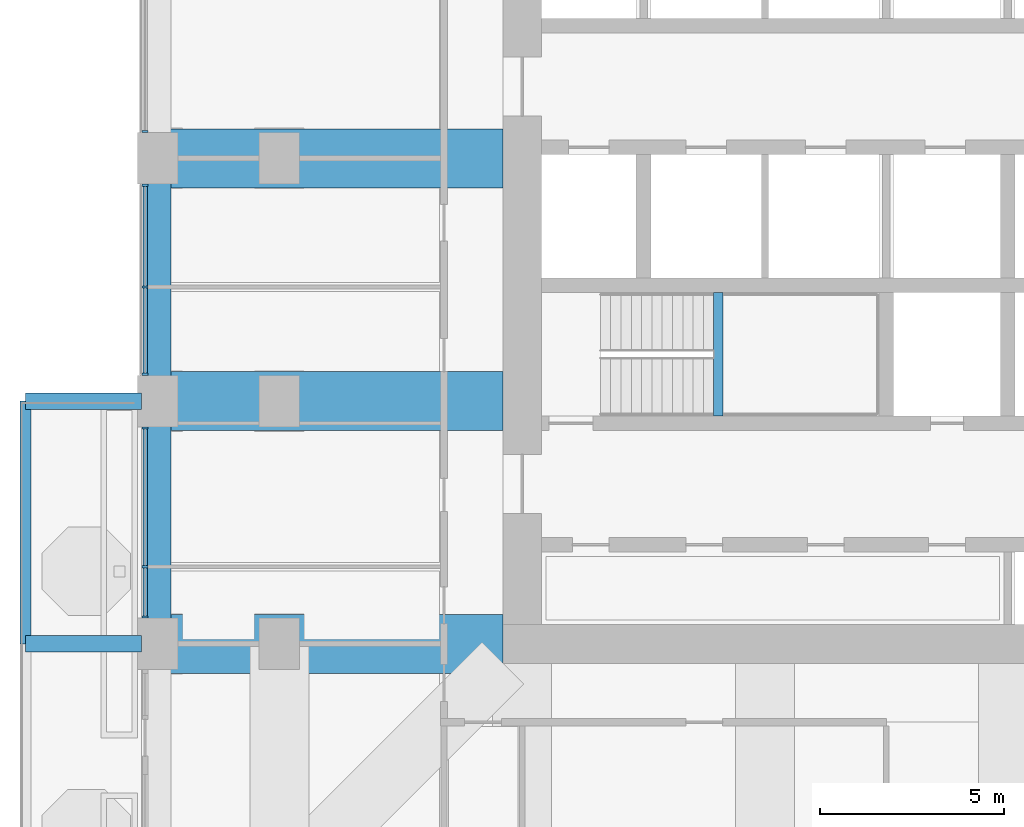
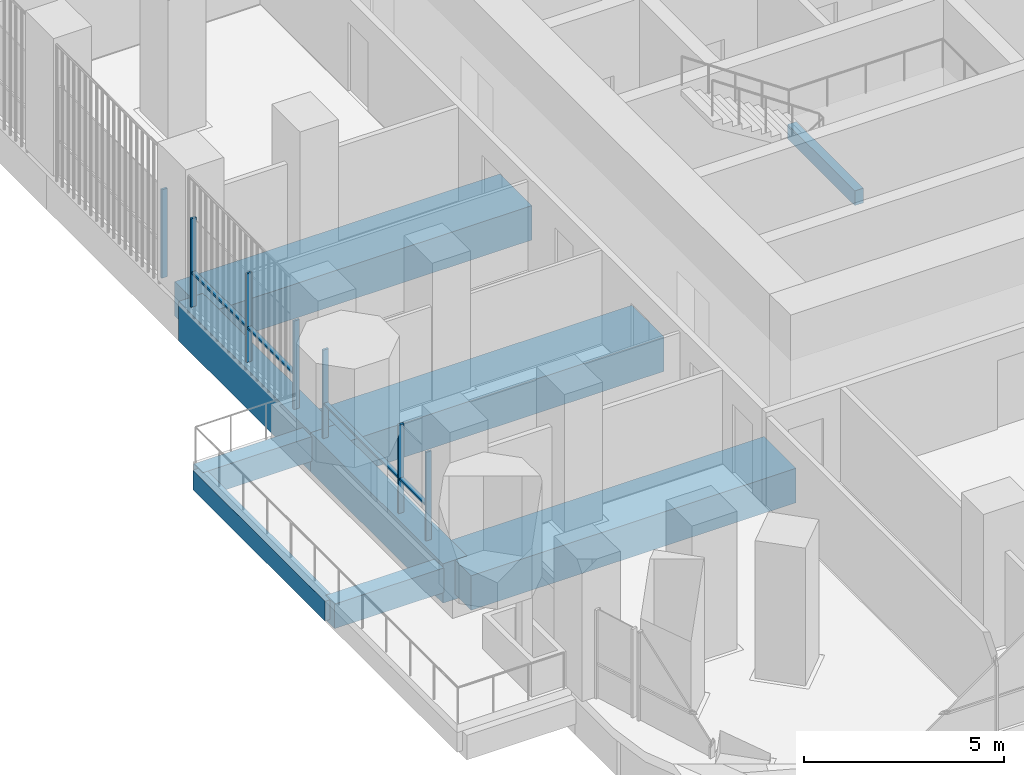
# One storey, part 4 of 21: 11 members, 9 beams, 3 elements without a shape of their own.
"""IFC4 building model written with IfcOpenShell, lengths in metres."""

from ifc_helpers import new_model, si_unit, direction, frame, origin, origin_2d, place, context, subcontext, project, spatial, rectangle, extrude, material, material_profile, profile_set, type_object, element, aggregate, save


model = new_model("IFC4")

# Units and contexts
model_context = context("Model", 3, precision=1e-05, world=origin(), true_north=direction((0.0, 1.0)))
body_context = subcontext(model_context, "Body", "Model", "MODEL_VIEW")
ifc_project = project(units=[si_unit("LENGTHUNIT", "METRE"), si_unit("AREAUNIT", "SQUARE_METRE"), si_unit("VOLUMEUNIT", "CUBIC_METRE"), si_unit("PLANEANGLEUNIT", "RADIAN"), si_unit("MASSUNIT", "GRAM", prefix="KILO")], contexts=[model_context])

# Site, building, storey
site_placement = place(None, origin())
site = spatial("IfcSite", under=ifc_project, at=site_placement, CompositionType="ELEMENT")
building_placement = place(site_placement, origin())
building = spatial("IfcBuilding", under=site, at=building_placement, Name="Cobogo Forest Laboratory Tower", CompositionType="ELEMENT")
storey_placement = place(building_placement, frame((0.0, 0.0, 132.60009765625)))
storey = spatial("IfcBuildingStorey", under=building, at=storey_placement, Name="L30", CompositionType="ELEMENT", Elevation=132.60009765625)

# Beams
ifc_material_1 = material(Name="Concrete HA-40 (C40/50)", Category="concrete")
ifc_material_profile_1 = material_profile(ifc_material_1, rectangle(XDim=0.449951171875, YDim=0.75, at=origin_2d()), Name="RC 450x750")
ifc_profile_set_1 = profile_set([ifc_material_profile_1], Name="Concrete HA-40 (C40/50)")
beam_type_1 = type_object("IfcBeamType", Name="Balcony cantilever beam 450x750", PredefinedType="BEAM", material=ifc_profile_set_1)
for number, where, z_axis, x_axis, name in (
    (1, (2.85009765625, 13.199951171875, -0.625), (-1.0, 0.0, 0.0), (0.0, -1.0, 0.0), "CB1 BAL-W1-C2 L30"),
    (2, (2.85009765625, 19.800048828125, -0.625), (-1.0, 0.0, 0.0), (0.0, -1.0, 0.0), "CB1 BAL-W1-C3 L30"),
):
    element("IfcBeam", number, at=place(storey_placement, frame(where, z_axis=z_axis, x_axis=x_axis)), inside=storey, type_object=beam_type_1, Name=name, PredefinedType="BEAM", context=body_context, shape_type="SweptSolid", body=[
        extrude(rectangle(XDim=0.449951171875, YDim=0.75, at=origin_2d()), origin(), (0.0, 0.0, 1.0), 3.150146484375),
    ])
ifc_material_profile_2 = material_profile(ifc_material_1, rectangle(XDim=0.300048828125, YDim=0.60009765625, at=origin_2d()), Name="RC 300x600")
ifc_profile_set_2 = profile_set([ifc_material_profile_2], Name="Concrete HA-40 (C40/50)")
beam_type_2 = type_object("IfcBeamType", Name="Balcony edge beam 300x600", PredefinedType="BEAM", material=ifc_profile_set_2)
beam_1_placement = place(storey_placement, frame((-0.300048828125, 13.199951171875, -0.550048828125), z_axis=(0.0, 1.0, 0.0), x_axis=(-1.0, 0.0, 0.0)))
element("IfcBeam", 3, at=beam_1_placement, inside=storey, type_object=beam_type_2, Name="BB1 BAL-W1-T2 L30", PredefinedType="BEAM", context=body_context, shape_type="SweptSolid", body=[
    extrude(rectangle(XDim=0.300048828125, YDim=0.60009765625, at=origin_2d()), origin(), (0.0, 0.0, 1.0), 6.60009765625),
])
ifc_material_profile_3 = material_profile(ifc_material_1, rectangle(XDim=0.25, YDim=0.449951171875, at=origin_2d()), Name="RC 250x450")
ifc_profile_set_3 = profile_set([ifc_material_profile_3], Name="Concrete HA-40 (C40/50)")
beam_type_3 = type_object("IfcBeamType", Name="LB1 landing beam 250x450", PredefinedType="BEAM", material=ifc_profile_set_3)
beam_2_placement = place(storey_placement, frame((18.530029296875, 19.39990234375, 1.6748046875), z_axis=(0.0, 1.0, 0.0), x_axis=(-1.0, 0.0, 0.0)))
element("IfcBeam", 4, at=beam_2_placement, inside=storey, type_object=beam_type_3, Name="Landing beam ST1 L30", PredefinedType="BEAM", context=body_context, shape_type="SweptSolid", body=[
    extrude(rectangle(XDim=0.25, YDim=0.449951171875, at=origin_2d()), origin(), (0.0, 0.0, 1.0), 3.35009765625),
])
ifc_material_2 = material(Name="Concrete HA-50 (C50/60)", Category="concrete")
ifc_material_profile_4 = material_profile(ifc_material_2, rectangle(XDim=1.60009765625, YDim=1.050048828125, at=origin_2d()), Name="RC 1600x1050")
ifc_profile_set_4 = profile_set([ifc_material_profile_4], Name="Concrete HA-50 (C50/60)")
beam_type_4 = type_object("IfcBeamType", Name="Laboratory floor wide beam 1600x1050", PredefinedType="BEAM", material=ifc_profile_set_4)
for number, where, z_axis, x_axis, name in (
    (5, (12.675048828125, 13.199951171875, -0.8251953125), (-1.0, 0.0, 0.0), (0.0, -1.0, 0.0), "RB8 R-C-W L30"),
    (6, (12.675048828125, 19.800048828125, -0.8251953125), (-1.0, 0.0, 0.0), (0.0, -1.0, 0.0), "RB8 R-D-W L30"),
    (7, (12.675048828125, 26.39990234375, -0.8251953125), (-1.0, 0.0, 0.0), (0.0, -1.0, 0.0), "RB8 R-E-W L30"),
):
    element("IfcBeam", number, at=place(storey_placement, frame(where, z_axis=z_axis, x_axis=x_axis)), inside=storey, type_object=beam_type_4, Name=name, PredefinedType="BEAM", context=body_context, shape_type="SweptSolid", body=[
        extrude(rectangle(XDim=1.60009765625, YDim=1.050048828125, at=origin_2d()), origin(), (0.0, 0.0, 1.0), 9.375),
    ])

# Curtain wall, member
ifc_material_3 = material(Name="Aluminium curtain wall", Category="aluminium")
curtain_wall_type = type_object("IfcCurtainWallType", Name="CW-1 unitised curtain wall, clear glazing, laboratory floors zones A and B", PredefinedType="USERDEFINED", material=ifc_material_3)
curtain_wall_1_placement = place(storey_placement, origin())
curtain_wall_1 = element("IfcCurtainWall", 8, at=curtain_wall_1_placement, inside=storey, type_object=curtain_wall_type, Name="Curtain wall 28 L30", ObjectType="UNITISED CURTAIN WALL", PredefinedType="USERDEFINED")
ifc_material_4 = material(Name="Aluminium mullion", Category="aluminium")
ifc_material_profile_5 = material_profile(ifc_material_4, rectangle(XDim=0.06005859375, YDim=0.159912109375, at=origin_2d()), Name="AL 60x160")
ifc_profile_set_5 = profile_set([ifc_material_profile_5], Name="Aluminium mullion")
member_type_1 = type_object("IfcMemberType", Name="MU-1 aluminium mullion 60x160", PredefinedType="MULLION", material=ifc_profile_set_5)
member_1_placement = place(storey_placement, frame((2.949951171875, 27.1298828125, 0.0), z_axis=(0.0, 0.0, 1.0), x_axis=(0.0, -1.0, 0.0)))
member_1 = element("IfcMember", 9, at=member_1_placement, type_object=member_type_1, Name="CW-1 mullion 2", PredefinedType="MULLION", context=body_context, shape_type="SweptSolid", body=[
    extrude(rectangle(XDim=0.06005859375, YDim=0.159912109375, at=origin_2d()), origin(), (0.0, 0.0, 1.0), 2.699951171875),
])
aggregate(curtain_wall_1, [member_1])

# Curtain wall, members
curtain_wall_2_placement = place(storey_placement, origin())
curtain_wall_2 = element("IfcCurtainWall", 10, at=curtain_wall_2_placement, inside=storey, type_object=curtain_wall_type, Name="Curtain wall 29 L30", ObjectType="UNITISED CURTAIN WALL", PredefinedType="USERDEFINED")
member_2_placement = place(storey_placement, frame((2.949951171875, 25.669921875, 0.0), z_axis=(0.0, 0.0, 1.0), x_axis=(0.0, -1.0, 0.0)))
member_2 = element("IfcMember", 11, at=member_2_placement, type_object=member_type_1, Name="CW-1 mullion 1", PredefinedType="MULLION", context=body_context, shape_type="SweptSolid", body=[
    extrude(rectangle(XDim=0.06005859375, YDim=0.159912109375, at=origin_2d()), origin(), (0.0, 0.0, 1.0), 2.699951171875),
])
member_3_placement = place(storey_placement, frame((2.949951171875, 22.89990234375, 0.0), z_axis=(0.0, 0.0, 1.0), x_axis=(0.0, -1.0, 0.0)))
member_3 = element("IfcMember", 12, at=member_3_placement, type_object=member_type_1, Name="CW-1 mullion 2", PredefinedType="MULLION", context=body_context, shape_type="SweptSolid", body=[
    extrude(rectangle(XDim=0.06005859375, YDim=0.159912109375, at=origin_2d()), origin(), (0.0, 0.0, 1.0), 2.699951171875),
])
member_4_placement = place(storey_placement, frame((2.949951171875, 20.530029296875, 0.0), z_axis=(0.0, 0.0, 1.0), x_axis=(0.0, -1.0, 0.0)))
member_4 = element("IfcMember", 13, at=member_4_placement, type_object=member_type_1, Name="CW-1 mullion 3", PredefinedType="MULLION", context=body_context, shape_type="SweptSolid", body=[
    extrude(rectangle(XDim=0.06005859375, YDim=0.159912109375, at=origin_2d()), origin(), (0.0, 0.0, 1.0), 2.699951171875),
])

curtain_wall_3_placement = place(storey_placement, origin())
curtain_wall_3 = element("IfcCurtainWall", 14, at=curtain_wall_3_placement, inside=storey, type_object=curtain_wall_type, Name="Curtain wall 30 L30", ObjectType="UNITISED CURTAIN WALL", PredefinedType="USERDEFINED")
member_5_placement = place(storey_placement, frame((2.949951171875, 19.070068359375, 0.0), z_axis=(0.0, 0.0, 1.0), x_axis=(0.0, -1.0, 0.0)))
member_5 = element("IfcMember", 15, at=member_5_placement, type_object=member_type_1, Name="CW-1 mullion 1", PredefinedType="MULLION", context=body_context, shape_type="SweptSolid", body=[
    extrude(rectangle(XDim=0.06005859375, YDim=0.159912109375, at=origin_2d()), origin(), (0.0, 0.0, 1.0), 2.699951171875),
])
member_6_placement = place(storey_placement, frame((2.949951171875, 15.300048828125, 0.0), z_axis=(0.0, 0.0, 1.0), x_axis=(0.0, -1.0, 0.0)))
member_6 = element("IfcMember", 16, at=member_6_placement, type_object=member_type_1, Name="CW-1 mullion 2", PredefinedType="MULLION", context=body_context, shape_type="SweptSolid", body=[
    extrude(rectangle(XDim=0.06005859375, YDim=0.159912109375, at=origin_2d()), origin(), (0.0, 0.0, 1.0), 2.699951171875),
])
member_7_placement = place(storey_placement, frame((2.949951171875, 13.929931640625, 0.0), z_axis=(0.0, 0.0, 1.0), x_axis=(0.0, -1.0, 0.0)))
member_7 = element("IfcMember", 17, at=member_7_placement, type_object=member_type_1, Name="CW-1 mullion 3", PredefinedType="MULLION", context=body_context, shape_type="SweptSolid", body=[
    extrude(rectangle(XDim=0.06005859375, YDim=0.159912109375, at=origin_2d()), origin(), (0.0, 0.0, 1.0), 2.699951171875),
])

# Beams
ifc_material_profile_6 = material_profile(ifc_material_1, rectangle(XDim=0.699951171875, YDim=1.199951171875, at=origin_2d()), Name="RC 700x1200")
ifc_profile_set_6 = profile_set([ifc_material_profile_6], Name="Concrete HA-40 (C40/50)")
beam_type_5 = type_object("IfcBeamType", Name="Perimeter edge beam 700x1200", PredefinedType="BEAM", material=ifc_profile_set_6)
beam_3_placement = place(storey_placement, frame((3.300048828125, 13.199951171875, -0.900146484375), z_axis=(0.0, 1.0, 0.0), x_axis=(-1.0, 0.0, 0.0)))
element("IfcBeam", 18, at=beam_3_placement, inside=storey, type_object=beam_type_5, Name="EB1 E-W2 L30", PredefinedType="BEAM", context=body_context, shape_type="SweptSolid", body=[
    extrude(rectangle(XDim=0.699951171875, YDim=1.199951171875, at=origin_2d()), origin(), (0.0, 0.0, 1.0), 6.60009765625),
])
beam_4_placement = place(storey_placement, frame((3.300048828125, 19.800048828125, -0.900146484375), z_axis=(0.0, 1.0, 0.0), x_axis=(-1.0, 0.0, 0.0)))
element("IfcBeam", 19, at=beam_4_placement, inside=storey, type_object=beam_type_5, Name="EB1 E-W3 L30", PredefinedType="BEAM", context=body_context, shape_type="SweptSolid", body=[
    extrude(rectangle(XDim=0.699951171875, YDim=1.199951171875, at=origin_2d()), origin(), (0.0, 0.0, 1.0), 6.599853515625),
])

# Member
ifc_material_5 = material(Name="Aluminium transom", Category="aluminium")
ifc_material_profile_7 = material_profile(ifc_material_5, rectangle(XDim=0.1201171875, YDim=0.06005859375, at=origin_2d()), Name="AL 60x120")
ifc_profile_set_7 = profile_set([ifc_material_profile_7], Name="Aluminium transom")
member_type_2 = type_object("IfcMemberType", Name="TR-1 aluminium transom 60x120", PredefinedType="USERDEFINED", material=ifc_profile_set_7)
member_8_placement = place(storey_placement, frame((2.949951171875, 25.639892578125, 1.0498046875), z_axis=(0.0, -1.0, 0.0), x_axis=(1.0, 0.0, 0.0)))
member_8 = element("IfcMember", 20, at=member_8_placement, type_object=member_type_2, Name="CW-1 transom 1.1", ObjectType="TRANSOM", PredefinedType="USERDEFINED", context=body_context, shape_type="SweptSolid", body=[
    extrude(rectangle(XDim=0.1201171875, YDim=0.06005859375, at=origin_2d()), origin(), (0.0, 0.0, 1.0), 2.7099609375),
])

member_9_placement = place(storey_placement, frame((2.949951171875, 22.8701171875, 1.0498046875), z_axis=(0.0, -1.0, 0.0), x_axis=(1.0, 0.0, 0.0)))
member_9 = element("IfcMember", 21, at=member_9_placement, type_object=member_type_2, Name="CW-1 transom 2.1", ObjectType="TRANSOM", PredefinedType="USERDEFINED", context=body_context, shape_type="SweptSolid", body=[
    extrude(rectangle(XDim=0.1201171875, YDim=0.06005859375, at=origin_2d()), origin(), (0.0, 0.0, 1.0), 2.31005859375),
])

aggregate(curtain_wall_2, [member_2, member_3, member_4, member_8, member_9])

member_10_placement = place(storey_placement, frame((2.949951171875, 19.0400390625, 1.0498046875), z_axis=(0.0, -1.0, 0.0), x_axis=(1.0, 0.0, 0.0)))
member_10 = element("IfcMember", 22, at=member_10_placement, type_object=member_type_2, Name="CW-1 transom 1.1", ObjectType="TRANSOM", PredefinedType="USERDEFINED", context=body_context, shape_type="SweptSolid", body=[
    extrude(rectangle(XDim=0.1201171875, YDim=0.06005859375, at=origin_2d()), origin(), (0.0, 0.0, 1.0), 3.7099609375),
])

member_11_placement = place(storey_placement, frame((2.949951171875, 15.27001953125, 1.0498046875), z_axis=(0.0, -1.0, 0.0), x_axis=(1.0, 0.0, 0.0)))
member_11 = element("IfcMember", 23, at=member_11_placement, type_object=member_type_2, Name="CW-1 transom 2.1", ObjectType="TRANSOM", PredefinedType="USERDEFINED", context=body_context, shape_type="SweptSolid", body=[
    extrude(rectangle(XDim=0.1201171875, YDim=0.06005859375, at=origin_2d()), origin(), (0.0, 0.0, 1.0), 1.31005859375),
])

aggregate(curtain_wall_3, [member_5, member_6, member_7, member_10, member_11])

save(model, "model.ifc")
